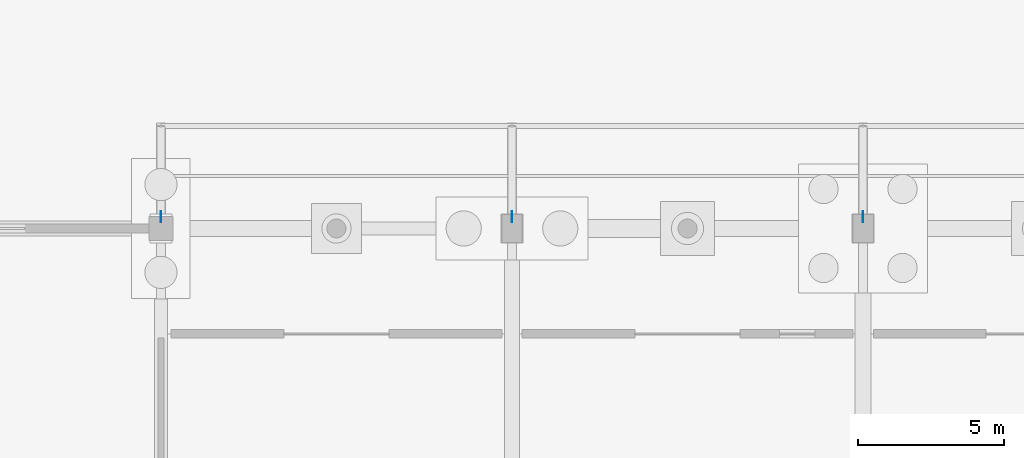
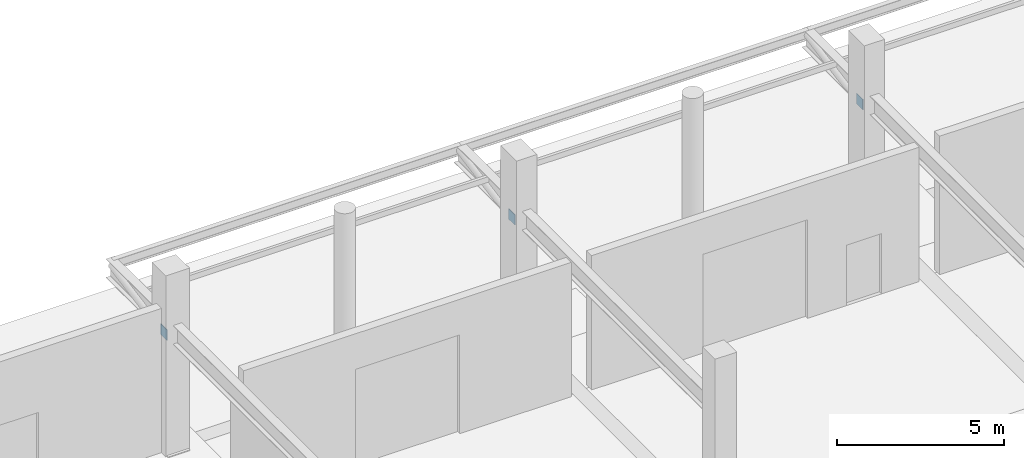
# One storey, part 77 of 117: 3 plates.
"""IFC4 building model written with IfcOpenShell, lengths in metres."""

from ifc_helpers import new_model, si_unit, direction, frame, origin, origin_2d, place, context, subcontext, project, spatial, rectangle, extrude, material, layer, layer_set, type_object, element, save


model = new_model("IFC4")

# Units and contexts
model_context = context("Model", 3, precision=1e-05, world=origin(), true_north=direction((0.0, 1.0)))
body_context = subcontext(model_context, "Body", "Model", "MODEL_VIEW")
ifc_project = project(units=[si_unit("LENGTHUNIT", "METRE"), si_unit("AREAUNIT", "SQUARE_METRE"), si_unit("VOLUMEUNIT", "CUBIC_METRE"), si_unit("PLANEANGLEUNIT", "RADIAN"), si_unit("MASSUNIT", "GRAM", prefix="KILO")], contexts=[model_context])

# Site, building, storey
site_placement = place(None, origin())
site = spatial("IfcSite", under=ifc_project, at=site_placement, CompositionType="ELEMENT")
building_placement = place(site_placement, origin())
building = spatial("IfcBuilding", under=site, at=building_placement, Name="Kamomehara Wholesale Market", CompositionType="ELEMENT")
storey_placement = place(building_placement, origin())
storey = spatial("IfcBuildingStorey", under=building, at=storey_placement, Name="L00", CompositionType="ELEMENT", Elevation=0.0)

# Plates
ifc_material = material(Name="Steel SN490B", Category="steel")
ifc_layer = layer(ifc_material, 0.02490234375)
ifc_layer_set = layer_set([ifc_layer], Name="Steel SN490B")
plate_type = type_object("IfcPlateType", Name="PLT-GUS-25", PredefinedType="USERDEFINED", material=ifc_layer_set)
for number, where, z_axis, x_axis, name in (
    (1, (60.0, 156.39990234375, 3.72998046875), (0.0, 0.0, 1.0), (1.0, 0.0, 0.0), "Canopy gusset plate V1 60"),
    (2, (72.0, 156.39990234375, 3.72998046875), (0.0, 0.0, 1.0), (1.0, 0.0, 0.0), "Canopy gusset plate V1 72"),
    (3, (84.0, 156.39990234375, 3.72998046875), (0.0, 0.0, 1.0), (1.0, 0.0, 0.0), "Canopy gusset plate V1 84"),
):
    element("IfcPlate", number, at=place(storey_placement, frame(where, z_axis=z_axis, x_axis=x_axis)), inside=storey, type_object=plate_type, Name=name, ObjectType="GUSSET PLATE", PredefinedType="USERDEFINED", context=body_context, shape_type="SweptSolid", body=[
        extrude(rectangle(XDim=0.02490234375, YDim=0.3798828125, at=origin_2d()), origin(), (0.0, 0.0, 1.0), 0.3798828125),
    ])

save(model, "model.ifc")
